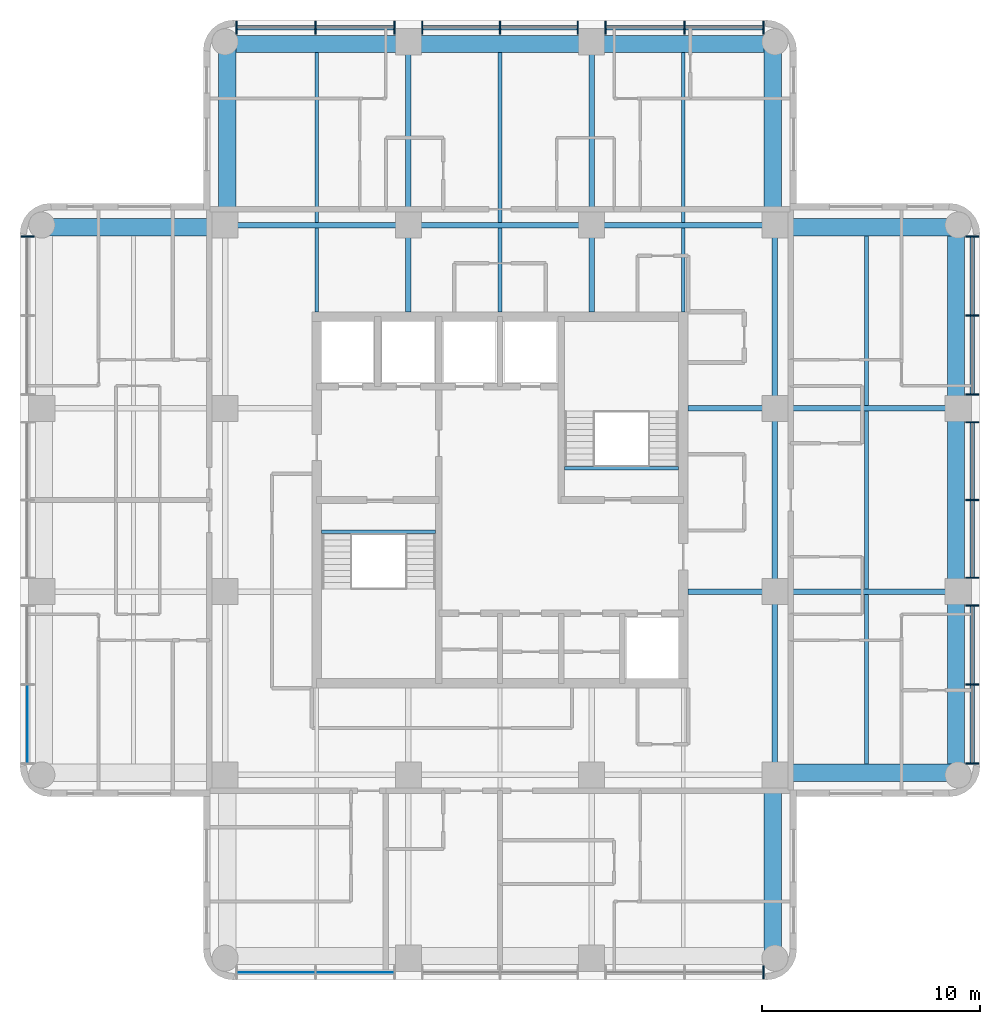
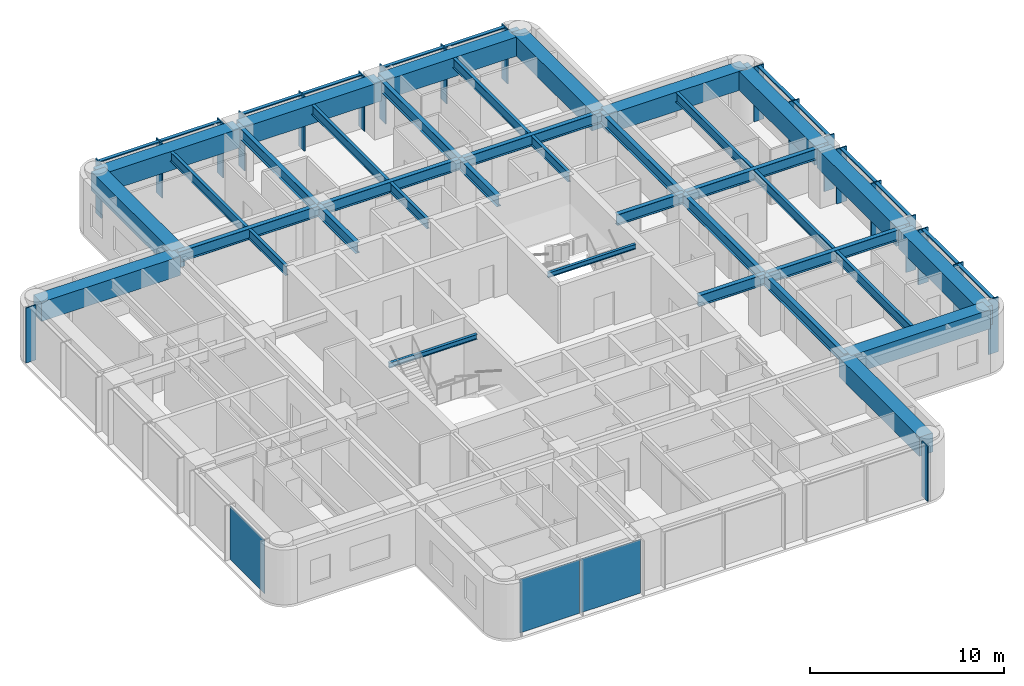
# One storey, part 2 of 10: 37 beams, 32 members, 3 plates, 4 elements without a shape of their own.
"""IFC4 building model written with IfcOpenShell, lengths in metres."""

from ifc_helpers import new_model, si_unit, direction, frame, origin, origin_2d, place, context, subcontext, project, spatial, rectangle, i_section, extrude, material, layer, layer_set, material_profile, profile_set, type_object, element, aggregate, save


model = new_model("IFC4")

# Units and contexts
model_context = context("Model", 3, precision=1e-05, world=origin(), true_north=direction((0.0, 1.0)))
body_context = subcontext(model_context, "Body", "Model", "MODEL_VIEW")
ifc_project = project(units=[si_unit("LENGTHUNIT", "METRE"), si_unit("AREAUNIT", "SQUARE_METRE"), si_unit("VOLUMEUNIT", "CUBIC_METRE"), si_unit("PLANEANGLEUNIT", "RADIAN"), si_unit("MASSUNIT", "GRAM", prefix="KILO")], contexts=[model_context])

# Site, building, storey
site_placement = place(None, origin())
site = spatial("IfcSite", under=ifc_project, at=site_placement, CompositionType="ELEMENT")
building_placement = place(site_placement, origin())
building = spatial("IfcBuilding", under=site, at=building_placement, Name="Torre Alcanfor", CompositionType="ELEMENT")
storey_placement = place(building_placement, frame((0.0, 0.0, 264.89990234375)))
storey = spatial("IfcBuildingStorey", under=building, at=storey_placement, Name="L69", CompositionType="ELEMENT", Elevation=264.89990234375)

# Curtain wall, member
ifc_material_1 = material(Name="Aluminium and glass", Category="aluminium")
curtain_wall_type = type_object("IfcCurtainWallType", Name="CW-A unitised apartment glazing with vertical FIN", PredefinedType="NOTDEFINED", material=ifc_material_1)
curtain_wall_1_placement = place(storey_placement, origin())
curtain_wall_1 = element("IfcCurtainWall", 1, at=curtain_wall_1_placement, inside=storey, type_object=curtain_wall_type, Name="Curtain wall CW-A L69 2", PredefinedType="NOTDEFINED")
ifc_material_2 = material(Name="Bronze anodised aluminium", Category="aluminium")
ifc_material_profile_1 = material_profile(ifc_material_2, rectangle(XDim=0.60009765625, YDim=0.06494140625, at=origin_2d()), Name="CW-A mullion 65x600")
ifc_profile_set_1 = profile_set([ifc_material_profile_1], Name="Bronze anodised aluminium")
member_type_1 = type_object("IfcMemberType", Name="CW-A mullion with vertical FIN 65x600", PredefinedType="MULLION", material=ifc_profile_set_1)
member_1_placement = place(storey_placement, frame((7.75, 41.47412109375, 0.0), z_axis=(0.0, 0.0, 1.0), x_axis=(1.0, 0.0, 0.0)))
member_1 = element("IfcMember", 2, at=member_1_placement, type_object=member_type_1, Name="CW-A mullion 1.1", PredefinedType="MULLION", context=body_context, shape_type="SweptSolid", body=[
    extrude(rectangle(XDim=0.60009765625, YDim=0.06494140625, at=origin_2d()), origin(), (0.0, 0.0, 1.0), 3.4501953125),
])

curtain_wall_2_placement = place(storey_placement, origin())
curtain_wall_2 = element("IfcCurtainWall", 3, at=curtain_wall_2_placement, inside=storey, type_object=curtain_wall_type, Name="Curtain wall CW-A L69 5", PredefinedType="NOTDEFINED")
member_2_placement = place(storey_placement, frame((41.47412109375, 7.75, 0.0), z_axis=(0.0, 0.0, 1.0), x_axis=(0.0, 1.0, 0.0)))
member_2 = element("IfcMember", 4, at=member_2_placement, type_object=member_type_1, Name="CW-A mullion 3.3", PredefinedType="MULLION", context=body_context, shape_type="SweptSolid", body=[
    extrude(rectangle(XDim=0.60009765625, YDim=0.06494140625, at=origin_2d()), origin(), (0.0, 0.0, 1.0), 3.4501953125),
])

# Curtain wall, members
curtain_wall_3_placement = place(storey_placement, origin())
curtain_wall_3 = element("IfcCurtainWall", 5, at=curtain_wall_3_placement, inside=storey, type_object=curtain_wall_type, Name="Curtain wall CW-A L69 8", PredefinedType="NOTDEFINED")
member_3_placement = place(storey_placement, frame((51.050048828125, 17.325927734375, 0.0), z_axis=(0.0, 0.0, 1.0), x_axis=(-1.0, 0.0, 0.0)))
member_3 = element("IfcMember", 6, at=member_3_placement, type_object=member_type_1, Name="CW-A mullion 1.1", PredefinedType="MULLION", context=body_context, shape_type="SweptSolid", body=[
    extrude(rectangle(XDim=0.60009765625, YDim=0.06494140625, at=origin_2d()), origin(), (0.0, 0.0, 1.0), 3.4501953125),
])
member_4_placement = place(storey_placement, frame((51.050048828125, 20.9443359375, 0.0), z_axis=(0.0, 0.0, 1.0), x_axis=(-1.0, 0.0, 0.0)))
member_4 = element("IfcMember", 7, at=member_4_placement, type_object=member_type_1, Name="CW-A mullion 1.2", PredefinedType="MULLION", context=body_context, shape_type="SweptSolid", body=[
    extrude(rectangle(XDim=0.60009765625, YDim=0.06494140625, at=origin_2d()), origin(), (0.0, 0.0, 1.0), 3.4501953125),
])
member_5_placement = place(storey_placement, frame((51.050048828125, 24.5625, 0.0), z_axis=(0.0, 0.0, 1.0), x_axis=(-1.0, 0.0, 0.0)))
member_5 = element("IfcMember", 8, at=member_5_placement, type_object=member_type_1, Name="CW-A mullion 1.3", PredefinedType="MULLION", context=body_context, shape_type="SweptSolid", body=[
    extrude(rectangle(XDim=0.60009765625, YDim=0.06494140625, at=origin_2d()), origin(), (0.0, 0.0, 1.0), 3.4501953125),
])
member_6_placement = place(storey_placement, frame((51.050048828125, 25.83740234375, 0.0), z_axis=(0.0, 0.0, 1.0), x_axis=(-1.0, 0.0, 0.0)))
member_6 = element("IfcMember", 9, at=member_6_placement, type_object=member_type_1, Name="CW-A mullion 2.1", PredefinedType="MULLION", context=body_context, shape_type="SweptSolid", body=[
    extrude(rectangle(XDim=0.60009765625, YDim=0.06494140625, at=origin_2d()), origin(), (0.0, 0.0, 1.0), 3.4501953125),
])
member_7_placement = place(storey_placement, frame((51.050048828125, 29.39990234375, 0.0), z_axis=(0.0, 0.0, 1.0), x_axis=(-1.0, 0.0, 0.0)))
member_7 = element("IfcMember", 10, at=member_7_placement, type_object=member_type_1, Name="CW-A mullion 2.2", PredefinedType="MULLION", context=body_context, shape_type="SweptSolid", body=[
    extrude(rectangle(XDim=0.60009765625, YDim=0.06494140625, at=origin_2d()), origin(), (0.0, 0.0, 1.0), 3.4501953125),
])
member_8_placement = place(storey_placement, frame((51.050048828125, 32.96240234375, 0.0), z_axis=(0.0, 0.0, 1.0), x_axis=(-1.0, 0.0, 0.0)))
member_8 = element("IfcMember", 11, at=member_8_placement, type_object=member_type_1, Name="CW-A mullion 2.3", PredefinedType="MULLION", context=body_context, shape_type="SweptSolid", body=[
    extrude(rectangle(XDim=0.60009765625, YDim=0.06494140625, at=origin_2d()), origin(), (0.0, 0.0, 1.0), 3.4501953125),
])
member_9_placement = place(storey_placement, frame((51.050048828125, 34.237548828125, 0.0), z_axis=(0.0, 0.0, 1.0), x_axis=(-1.0, 0.0, 0.0)))
member_9 = element("IfcMember", 12, at=member_9_placement, type_object=member_type_1, Name="CW-A mullion 3.1", PredefinedType="MULLION", context=body_context, shape_type="SweptSolid", body=[
    extrude(rectangle(XDim=0.60009765625, YDim=0.06494140625, at=origin_2d()), origin(), (0.0, 0.0, 1.0), 3.4501953125),
])
member_10_placement = place(storey_placement, frame((51.050048828125, 37.855712890625, 0.0), z_axis=(0.0, 0.0, 1.0), x_axis=(-1.0, 0.0, 0.0)))
member_10 = element("IfcMember", 13, at=member_10_placement, type_object=member_type_1, Name="CW-A mullion 3.2", PredefinedType="MULLION", context=body_context, shape_type="SweptSolid", body=[
    extrude(rectangle(XDim=0.60009765625, YDim=0.06494140625, at=origin_2d()), origin(), (0.0, 0.0, 1.0), 3.4501953125),
])
member_11_placement = place(storey_placement, frame((51.050048828125, 41.47412109375, 0.0), z_axis=(0.0, 0.0, 1.0), x_axis=(-1.0, 0.0, 0.0)))
member_11 = element("IfcMember", 14, at=member_11_placement, type_object=member_type_1, Name="CW-A mullion 3.3", PredefinedType="MULLION", context=body_context, shape_type="SweptSolid", body=[
    extrude(rectangle(XDim=0.60009765625, YDim=0.06494140625, at=origin_2d()), origin(), (0.0, 0.0, 1.0), 3.4501953125),
])

curtain_wall_4_placement = place(storey_placement, origin())
curtain_wall_4 = element("IfcCurtainWall", 15, at=curtain_wall_4_placement, inside=storey, type_object=curtain_wall_type, Name="Curtain wall CW-A L69 11", PredefinedType="NOTDEFINED")
member_12_placement = place(storey_placement, frame((41.47412109375, 51.050048828125, 0.0), z_axis=(0.0, 0.0, 1.0), x_axis=(0.0, -1.0, 0.0)))
member_12 = element("IfcMember", 16, at=member_12_placement, type_object=member_type_1, Name="CW-A mullion 1.1", PredefinedType="MULLION", context=body_context, shape_type="SweptSolid", body=[
    extrude(rectangle(XDim=0.60009765625, YDim=0.06494140625, at=origin_2d()), origin(), (0.0, 0.0, 1.0), 3.4501953125),
])
member_13_placement = place(storey_placement, frame((37.855712890625, 51.050048828125, 0.0), z_axis=(0.0, 0.0, 1.0), x_axis=(0.0, -1.0, 0.0)))
member_13 = element("IfcMember", 17, at=member_13_placement, type_object=member_type_1, Name="CW-A mullion 1.2", PredefinedType="MULLION", context=body_context, shape_type="SweptSolid", body=[
    extrude(rectangle(XDim=0.60009765625, YDim=0.06494140625, at=origin_2d()), origin(), (0.0, 0.0, 1.0), 3.4501953125),
])
member_14_placement = place(storey_placement, frame((34.237548828125, 51.050048828125, 0.0), z_axis=(0.0, 0.0, 1.0), x_axis=(0.0, -1.0, 0.0)))
member_14 = element("IfcMember", 18, at=member_14_placement, type_object=member_type_1, Name="CW-A mullion 1.3", PredefinedType="MULLION", context=body_context, shape_type="SweptSolid", body=[
    extrude(rectangle(XDim=0.60009765625, YDim=0.06494140625, at=origin_2d()), origin(), (0.0, 0.0, 1.0), 3.4501953125),
])
member_15_placement = place(storey_placement, frame((32.96240234375, 51.050048828125, 0.0), z_axis=(0.0, 0.0, 1.0), x_axis=(0.0, -1.0, 0.0)))
member_15 = element("IfcMember", 19, at=member_15_placement, type_object=member_type_1, Name="CW-A mullion 2.1", PredefinedType="MULLION", context=body_context, shape_type="SweptSolid", body=[
    extrude(rectangle(XDim=0.60009765625, YDim=0.06494140625, at=origin_2d()), origin(), (0.0, 0.0, 1.0), 3.4501953125),
])
member_16_placement = place(storey_placement, frame((29.39990234375, 51.050048828125, 0.0), z_axis=(0.0, 0.0, 1.0), x_axis=(0.0, -1.0, 0.0)))
member_16 = element("IfcMember", 20, at=member_16_placement, type_object=member_type_1, Name="CW-A mullion 2.2", PredefinedType="MULLION", context=body_context, shape_type="SweptSolid", body=[
    extrude(rectangle(XDim=0.60009765625, YDim=0.06494140625, at=origin_2d()), origin(), (0.0, 0.0, 1.0), 3.4501953125),
])
member_17_placement = place(storey_placement, frame((25.83740234375, 51.050048828125, 0.0), z_axis=(0.0, 0.0, 1.0), x_axis=(0.0, -1.0, 0.0)))
member_17 = element("IfcMember", 21, at=member_17_placement, type_object=member_type_1, Name="CW-A mullion 2.3", PredefinedType="MULLION", context=body_context, shape_type="SweptSolid", body=[
    extrude(rectangle(XDim=0.60009765625, YDim=0.06494140625, at=origin_2d()), origin(), (0.0, 0.0, 1.0), 3.4501953125),
])
member_18_placement = place(storey_placement, frame((24.5625, 51.050048828125, 0.0), z_axis=(0.0, 0.0, 1.0), x_axis=(0.0, -1.0, 0.0)))
member_18 = element("IfcMember", 22, at=member_18_placement, type_object=member_type_1, Name="CW-A mullion 3.1", PredefinedType="MULLION", context=body_context, shape_type="SweptSolid", body=[
    extrude(rectangle(XDim=0.60009765625, YDim=0.06494140625, at=origin_2d()), origin(), (0.0, 0.0, 1.0), 3.4501953125),
])
member_19_placement = place(storey_placement, frame((20.9443359375, 51.050048828125, 0.0), z_axis=(0.0, 0.0, 1.0), x_axis=(0.0, -1.0, 0.0)))
member_19 = element("IfcMember", 23, at=member_19_placement, type_object=member_type_1, Name="CW-A mullion 3.2", PredefinedType="MULLION", context=body_context, shape_type="SweptSolid", body=[
    extrude(rectangle(XDim=0.60009765625, YDim=0.06494140625, at=origin_2d()), origin(), (0.0, 0.0, 1.0), 3.4501953125),
])
member_20_placement = place(storey_placement, frame((17.325927734375, 51.050048828125, 0.0), z_axis=(0.0, 0.0, 1.0), x_axis=(0.0, -1.0, 0.0)))
member_20 = element("IfcMember", 24, at=member_20_placement, type_object=member_type_1, Name="CW-A mullion 3.3", PredefinedType="MULLION", context=body_context, shape_type="SweptSolid", body=[
    extrude(rectangle(XDim=0.60009765625, YDim=0.06494140625, at=origin_2d()), origin(), (0.0, 0.0, 1.0), 3.4501953125),
])

# Member
ifc_material_3 = material(Name="Extruded aluminium", Category="aluminium")
ifc_material_profile_2 = material_profile(ifc_material_3, rectangle(XDim=0.199951171875, YDim=0.06494140625, at=origin_2d()), Name="CW-A transom 200x65")
ifc_profile_set_2 = profile_set([ifc_material_profile_2], Name="Extruded aluminium")
member_type_2 = type_object("IfcMemberType", Name="CW-A transom 65x200", PredefinedType="USERDEFINED", material=ifc_profile_set_2)
member_21_placement = place(storey_placement, frame((51.050048828125, 17.3583984375, 3.41748046875), z_axis=(0.0, 1.0, 0.0), x_axis=(-1.0, 0.0, 0.0)))
member_21 = element("IfcMember", 25, at=member_21_placement, type_object=member_type_2, Name="CW-A transom 1.1.2", ObjectType="TRANSOM", PredefinedType="USERDEFINED", context=body_context, shape_type="SweptSolid", body=[
    extrude(rectangle(XDim=0.199951171875, YDim=0.06494140625, at=origin_2d()), origin(), (0.0, 0.0, 1.0), 3.553466796875),
])

member_22_placement = place(storey_placement, frame((51.050048828125, 20.976806640625, 3.41748046875), z_axis=(0.0, 1.0, 0.0), x_axis=(-1.0, 0.0, 0.0)))
member_22 = element("IfcMember", 26, at=member_22_placement, type_object=member_type_2, Name="CW-A transom 1.2.2", ObjectType="TRANSOM", PredefinedType="USERDEFINED", context=body_context, shape_type="SweptSolid", body=[
    extrude(rectangle(XDim=0.199951171875, YDim=0.06494140625, at=origin_2d()), origin(), (0.0, 0.0, 1.0), 3.55322265625),
])

member_23_placement = place(storey_placement, frame((51.050048828125, 25.8701171875, 3.41748046875), z_axis=(0.0, 1.0, 0.0), x_axis=(-1.0, 0.0, 0.0)))
member_23 = element("IfcMember", 27, at=member_23_placement, type_object=member_type_2, Name="CW-A transom 2.1.2", ObjectType="TRANSOM", PredefinedType="USERDEFINED", context=body_context, shape_type="SweptSolid", body=[
    extrude(rectangle(XDim=0.199951171875, YDim=0.06494140625, at=origin_2d()), origin(), (0.0, 0.0, 1.0), 3.497314453125),
])

member_24_placement = place(storey_placement, frame((51.050048828125, 29.4326171875, 3.41748046875), z_axis=(0.0, 1.0, 0.0), x_axis=(-1.0, 0.0, 0.0)))
member_24 = element("IfcMember", 28, at=member_24_placement, type_object=member_type_2, Name="CW-A transom 2.2.2", ObjectType="TRANSOM", PredefinedType="USERDEFINED", context=body_context, shape_type="SweptSolid", body=[
    extrude(rectangle(XDim=0.199951171875, YDim=0.06494140625, at=origin_2d()), origin(), (0.0, 0.0, 1.0), 3.497314453125),
])

member_25_placement = place(storey_placement, frame((51.050048828125, 34.27001953125, 3.41748046875), z_axis=(0.0, 1.0, 0.0), x_axis=(-1.0, 0.0, 0.0)))
member_25 = element("IfcMember", 29, at=member_25_placement, type_object=member_type_2, Name="CW-A transom 3.1.2", ObjectType="TRANSOM", PredefinedType="USERDEFINED", context=body_context, shape_type="SweptSolid", body=[
    extrude(rectangle(XDim=0.199951171875, YDim=0.06494140625, at=origin_2d()), origin(), (0.0, 0.0, 1.0), 3.55322265625),
])

member_26_placement = place(storey_placement, frame((51.050048828125, 37.88818359375, 3.41748046875), z_axis=(0.0, 1.0, 0.0), x_axis=(-1.0, 0.0, 0.0)))
member_26 = element("IfcMember", 30, at=member_26_placement, type_object=member_type_2, Name="CW-A transom 3.2.2", ObjectType="TRANSOM", PredefinedType="USERDEFINED", context=body_context, shape_type="SweptSolid", body=[
    extrude(rectangle(XDim=0.199951171875, YDim=0.06494140625, at=origin_2d()), origin(), (0.0, 0.0, 1.0), 3.55322265625),
])

aggregate(curtain_wall_3, [member_3, member_4, member_5, member_21, member_22, member_6, member_7, member_8, member_23, member_24, member_9, member_10, member_11, member_25, member_26])

member_27_placement = place(storey_placement, frame((41.44140625, 51.050048828125, 3.41748046875), z_axis=(-1.0, 0.0, 0.0), x_axis=(0.0, -1.0, 0.0)))
member_27 = element("IfcMember", 31, at=member_27_placement, type_object=member_type_2, Name="CW-A transom 1.1.2", ObjectType="TRANSOM", PredefinedType="USERDEFINED", context=body_context, shape_type="SweptSolid", body=[
    extrude(rectangle(XDim=0.199951171875, YDim=0.06494140625, at=origin_2d()), origin(), (0.0, 0.0, 1.0), 3.55322265625),
])

member_28_placement = place(storey_placement, frame((37.8232421875, 51.050048828125, 3.41748046875), z_axis=(-1.0, 0.0, 0.0), x_axis=(0.0, -1.0, 0.0)))
member_28 = element("IfcMember", 32, at=member_28_placement, type_object=member_type_2, Name="CW-A transom 1.2.2", ObjectType="TRANSOM", PredefinedType="USERDEFINED", context=body_context, shape_type="SweptSolid", body=[
    extrude(rectangle(XDim=0.199951171875, YDim=0.06494140625, at=origin_2d()), origin(), (0.0, 0.0, 1.0), 3.55322265625),
])

member_29_placement = place(storey_placement, frame((32.929931640625, 51.050048828125, 3.41748046875), z_axis=(-1.0, 0.0, 0.0), x_axis=(0.0, -1.0, 0.0)))
member_29 = element("IfcMember", 33, at=member_29_placement, type_object=member_type_2, Name="CW-A transom 2.1.2", ObjectType="TRANSOM", PredefinedType="USERDEFINED", context=body_context, shape_type="SweptSolid", body=[
    extrude(rectangle(XDim=0.199951171875, YDim=0.06494140625, at=origin_2d()), origin(), (0.0, 0.0, 1.0), 3.497314453125),
])

member_30_placement = place(storey_placement, frame((29.367431640625, 51.050048828125, 3.41748046875), z_axis=(-1.0, 0.0, 0.0), x_axis=(0.0, -1.0, 0.0)))
member_30 = element("IfcMember", 34, at=member_30_placement, type_object=member_type_2, Name="CW-A transom 2.2.2", ObjectType="TRANSOM", PredefinedType="USERDEFINED", context=body_context, shape_type="SweptSolid", body=[
    extrude(rectangle(XDim=0.199951171875, YDim=0.06494140625, at=origin_2d()), origin(), (0.0, 0.0, 1.0), 3.497314453125),
])

member_31_placement = place(storey_placement, frame((24.530029296875, 51.050048828125, 3.41748046875), z_axis=(-1.0, 0.0, 0.0), x_axis=(0.0, -1.0, 0.0)))
member_31 = element("IfcMember", 35, at=member_31_placement, type_object=member_type_2, Name="CW-A transom 3.1.2", ObjectType="TRANSOM", PredefinedType="USERDEFINED", context=body_context, shape_type="SweptSolid", body=[
    extrude(rectangle(XDim=0.199951171875, YDim=0.06494140625, at=origin_2d()), origin(), (0.0, 0.0, 1.0), 3.55322265625),
])

member_32_placement = place(storey_placement, frame((20.911865234375, 51.050048828125, 3.41748046875), z_axis=(-1.0, 0.0, 0.0), x_axis=(0.0, -1.0, 0.0)))
member_32 = element("IfcMember", 36, at=member_32_placement, type_object=member_type_2, Name="CW-A transom 3.2.2", ObjectType="TRANSOM", PredefinedType="USERDEFINED", context=body_context, shape_type="SweptSolid", body=[
    extrude(rectangle(XDim=0.199951171875, YDim=0.06494140625, at=origin_2d()), origin(), (0.0, 0.0, 1.0), 3.553466796875),
])

aggregate(curtain_wall_4, [member_12, member_13, member_14, member_27, member_28, member_15, member_16, member_17, member_29, member_30, member_18, member_19, member_20, member_31, member_32])

# Beams
ifc_material_4 = material(Name="Steel ASTM A992 Grade 50", Category="steel")
ifc_material_profile_3 = material_profile(ifc_material_4, i_section(OverallWidth=0.25390625, OverallDepth=0.683349609375, WebThickness=0.012451171875, FlangeThickness=0.01904296875, at=origin_2d()), Name="W27x94")
ifc_profile_set_3 = profile_set([ifc_material_profile_3], Name="Steel ASTM A992 Grade 50")
beam_type_1 = type_object("IfcBeamType", Name="Girder W27x94", PredefinedType="BEAM", material=ifc_profile_set_3)
for number, where, z_axis, x_axis, name in (
    (37, (42.0, 25.199951171875, 3.1083984375), (1.0, 0.0, 0.0), (0.0, 1.0, 0.0), "Beam 6F-7F under L70"),
    (38, (42.0, 33.60009765625, 3.1083984375), (1.0, 0.0, 0.0), (0.0, 1.0, 0.0), "Beam 6G-7G under L70"),
    (39, (16.800048828125, 42.0, 3.1083984375), (1.0, 0.0, 0.0), (0.0, 1.0, 0.0), "Beam 3H-4H under L70"),
):
    element("IfcBeam", number, at=place(storey_placement, frame(where, z_axis=z_axis, x_axis=x_axis)), inside=storey, type_object=beam_type_1, Name=name, PredefinedType="BEAM", context=body_context, shape_type="SweptSolid", body=[
        extrude(i_section(OverallWidth=0.25390625, OverallDepth=0.683349609375, WebThickness=0.012451171875, FlangeThickness=0.01904296875, at=origin_2d()), origin(), (0.0, 0.0, 1.0), 8.39990234375),
    ])
beam_1_placement = place(storey_placement, frame((25.199951171875, 42.0, 3.1083984375), z_axis=(1.0, 0.0, 0.0), x_axis=(0.0, 1.0, 0.0)))
element("IfcBeam", 40, at=beam_1_placement, inside=storey, type_object=beam_type_1, Name="Beam 4H-5H under L70", PredefinedType="BEAM", context=body_context, shape_type="SweptSolid", body=[
    extrude(i_section(OverallWidth=0.25390625, OverallDepth=0.683349609375, WebThickness=0.012451171875, FlangeThickness=0.01904296875, at=origin_2d()), origin(), (0.0, 0.0, 1.0), 8.400146484375),
])
for number, where, z_axis, x_axis, name in (
    (41, (33.60009765625, 42.0, 3.1083984375), (1.0, 0.0, 0.0), (0.0, 1.0, 0.0), "Beam 5H-6H under L70"),
    (42, (25.199951171875, 42.0, 3.1083984375), (0.0, 1.0, 0.0), (-1.0, 0.0, 0.0), "Beam 4H-4J under L70"),
    (43, (33.60009765625, 42.0, 3.1083984375), (0.0, 1.0, 0.0), (-1.0, 0.0, 0.0), "Beam 5H-5J under L70"),
    (44, (42.0, 16.800048828125, 3.1083984375), (0.0, 1.0, 0.0), (-1.0, 0.0, 0.0), "Beam 6E-6F under L70"),
):
    element("IfcBeam", number, at=place(storey_placement, frame(where, z_axis=z_axis, x_axis=x_axis)), inside=storey, type_object=beam_type_1, Name=name, PredefinedType="BEAM", context=body_context, shape_type="SweptSolid", body=[
        extrude(i_section(OverallWidth=0.25390625, OverallDepth=0.683349609375, WebThickness=0.012451171875, FlangeThickness=0.01904296875, at=origin_2d()), origin(), (0.0, 0.0, 1.0), 8.39990234375),
    ])
beam_2_placement = place(storey_placement, frame((42.0, 25.199951171875, 3.1083984375), z_axis=(0.0, 1.0, 0.0), x_axis=(-1.0, 0.0, 0.0)))
element("IfcBeam", 45, at=beam_2_placement, inside=storey, type_object=beam_type_1, Name="Beam 6F-6G under L70", PredefinedType="BEAM", context=body_context, shape_type="SweptSolid", body=[
    extrude(i_section(OverallWidth=0.25390625, OverallDepth=0.683349609375, WebThickness=0.012451171875, FlangeThickness=0.01904296875, at=origin_2d()), origin(), (0.0, 0.0, 1.0), 8.400146484375),
])
beam_3_placement = place(storey_placement, frame((42.0, 33.60009765625, 3.1083984375), z_axis=(0.0, 1.0, 0.0), x_axis=(-1.0, 0.0, 0.0)))
element("IfcBeam", 46, at=beam_3_placement, inside=storey, type_object=beam_type_1, Name="Beam 6G-6H under L70", PredefinedType="BEAM", context=body_context, shape_type="SweptSolid", body=[
    extrude(i_section(OverallWidth=0.25390625, OverallDepth=0.683349609375, WebThickness=0.012451171875, FlangeThickness=0.01904296875, at=origin_2d()), origin(), (0.0, 0.0, 1.0), 8.39990234375),
])
ifc_material_5 = material(Name="Steel ASTM A992 Grade 50", Category="steel")
ifc_material_profile_4 = material_profile(ifc_material_5, i_section(OverallWidth=0.25390625, OverallDepth=0.683349609375, WebThickness=0.012451171875, FlangeThickness=0.01904296875, at=origin_2d()), Name="W27x94")
ifc_profile_set_4 = profile_set([ifc_material_profile_4], Name="Steel ASTM A992 Grade 50")
beam_type_2 = type_object("IfcBeamType", Name="Girder, part bay W27x94", PredefinedType="BEAM", material=ifc_profile_set_4)
for number, where, z_axis, x_axis, name in (
    (47, (25.199951171875, 42.0, 3.1083984375), (0.0, -1.0, 0.0), (1.0, 0.0, 0.0), "Beam 4H-438_025 under L70"),
    (48, (33.60009765625, 42.0, 3.1083984375), (0.0, -1.0, 0.0), (1.0, 0.0, 0.0), "Beam 5H-538_025 under L70"),
    (49, (42.0, 25.199951171875, 3.1083984375), (-1.0, 0.0, 0.0), (0.0, -1.0, 0.0), "Beam 6F-38_025F under L70"),
    (50, (42.0, 33.60009765625, 3.1083984375), (-1.0, 0.0, 0.0), (0.0, -1.0, 0.0), "Beam 6G-38_025G under L70"),
):
    element("IfcBeam", number, at=place(storey_placement, frame(where, z_axis=z_axis, x_axis=x_axis)), inside=storey, type_object=beam_type_2, Name=name, PredefinedType="BEAM", context=body_context, shape_type="SweptSolid", body=[
        extrude(i_section(OverallWidth=0.25390625, OverallDepth=0.683349609375, WebThickness=0.012451171875, FlangeThickness=0.01904296875, at=origin_2d()), origin(), (0.0, 0.0, 1.0), 3.97509765625),
    ])
ifc_material_6 = material(Name="Concrete f'c 70 MPa", Category="concrete")
ifc_material_profile_5 = material_profile(ifc_material_6, rectangle(XDim=0.800048828125, YDim=1.199951171875, at=origin_2d()), Name="800x1200")
ifc_profile_set_5 = profile_set([ifc_material_profile_5], Name="Concrete f'c 70 MPa")
beam_type_3 = type_object("IfcBeamType", Name="RC perimeter beam 800x1200", PredefinedType="BEAM", material=ifc_profile_set_5)
beam_4_placement = place(storey_placement, frame((42.126953125, 16.89990234375, 2.85009765625), z_axis=(1.0, 0.0, 0.0), x_axis=(0.0, 1.0, 0.0)))
element("IfcBeam", 51, at=beam_4_placement, inside=storey, type_object=beam_type_3, Name="Beam 6E-7E under L70", PredefinedType="BEAM", context=body_context, shape_type="SweptSolid", body=[
    extrude(rectangle(XDim=0.800048828125, YDim=1.199951171875, at=origin_2d()), origin(), (0.0, 0.0, 1.0), 8.27294921875),
])
beam_5_placement = place(storey_placement, frame((8.39990234375, 41.89990234375, 2.85009765625), z_axis=(1.0, 0.0, 0.0), x_axis=(0.0, 1.0, 0.0)))
element("IfcBeam", 52, at=beam_5_placement, inside=storey, type_object=beam_type_3, Name="Beam 2H-3H under L70", PredefinedType="BEAM", context=body_context, shape_type="SweptSolid", body=[
    extrude(rectangle(XDim=0.800048828125, YDim=1.199951171875, at=origin_2d()), origin(), (0.0, 0.0, 1.0), 8.273193359375),
])
for number, where, z_axis, x_axis, name in (
    (53, (42.126953125, 41.89990234375, 2.85009765625), (1.0, 0.0, 0.0), (0.0, 1.0, 0.0), "Beam 6H-7H under L70"),
    (54, (16.800048828125, 50.300048828125, 2.85009765625), (1.0, 0.0, 0.0), (0.0, 1.0, 0.0), "Beam 3J-4J under L70"),
):
    element("IfcBeam", number, at=place(storey_placement, frame(where, z_axis=z_axis, x_axis=x_axis)), inside=storey, type_object=beam_type_3, Name=name, PredefinedType="BEAM", context=body_context, shape_type="SweptSolid", body=[
        extrude(rectangle(XDim=0.800048828125, YDim=1.199951171875, at=origin_2d()), origin(), (0.0, 0.0, 1.0), 8.27294921875),
    ])
beam_6_placement = place(storey_placement, frame((25.326904296875, 50.300048828125, 2.85009765625), z_axis=(1.0, 0.0, 0.0), x_axis=(0.0, 1.0, 0.0)))
element("IfcBeam", 55, at=beam_6_placement, inside=storey, type_object=beam_type_3, Name="Beam 4J-5J under L70", PredefinedType="BEAM", context=body_context, shape_type="SweptSolid", body=[
    extrude(rectangle(XDim=0.800048828125, YDim=1.199951171875, at=origin_2d()), origin(), (0.0, 0.0, 1.0), 8.14599609375),
])
for number, where, z_axis, x_axis, name in (
    (56, (33.72705078125, 50.300048828125, 2.85009765625), (1.0, 0.0, 0.0), (0.0, 1.0, 0.0), "Beam 5J-6J under L70"),
    (57, (16.89990234375, 42.126953125, 2.85009765625), (0.0, 1.0, 0.0), (-1.0, 0.0, 0.0), "Beam 3H-3J under L70"),
):
    element("IfcBeam", number, at=place(storey_placement, frame(where, z_axis=z_axis, x_axis=x_axis)), inside=storey, type_object=beam_type_3, Name=name, PredefinedType="BEAM", context=body_context, shape_type="SweptSolid", body=[
        extrude(rectangle(XDim=0.800048828125, YDim=1.199951171875, at=origin_2d()), origin(), (0.0, 0.0, 1.0), 8.27294921875),
    ])
beam_7_placement = place(storey_placement, frame((41.89990234375, 8.39990234375, 2.85009765625), z_axis=(0.0, 1.0, 0.0), x_axis=(-1.0, 0.0, 0.0)))
element("IfcBeam", 58, at=beam_7_placement, inside=storey, type_object=beam_type_3, Name="Beam 6D-6E under L70", PredefinedType="BEAM", context=body_context, shape_type="SweptSolid", body=[
    extrude(rectangle(XDim=0.800048828125, YDim=1.199951171875, at=origin_2d()), origin(), (0.0, 0.0, 1.0), 8.273193359375),
])
for number, where, z_axis, x_axis, name in (
    (59, (41.89990234375, 42.126953125, 2.85009765625), (0.0, 1.0, 0.0), (-1.0, 0.0, 0.0), "Beam 6H-6J under L70"),
    (60, (50.300048828125, 16.800048828125, 2.85009765625), (0.0, 1.0, 0.0), (-1.0, 0.0, 0.0), "Beam 7E-7F under L70"),
):
    element("IfcBeam", number, at=place(storey_placement, frame(where, z_axis=z_axis, x_axis=x_axis)), inside=storey, type_object=beam_type_3, Name=name, PredefinedType="BEAM", context=body_context, shape_type="SweptSolid", body=[
        extrude(rectangle(XDim=0.800048828125, YDim=1.199951171875, at=origin_2d()), origin(), (0.0, 0.0, 1.0), 8.27294921875),
    ])
beam_8_placement = place(storey_placement, frame((50.300048828125, 25.326904296875, 2.85009765625), z_axis=(0.0, 1.0, 0.0), x_axis=(-1.0, 0.0, 0.0)))
element("IfcBeam", 61, at=beam_8_placement, inside=storey, type_object=beam_type_3, Name="Beam 7F-7G under L70", PredefinedType="BEAM", context=body_context, shape_type="SweptSolid", body=[
    extrude(rectangle(XDim=0.800048828125, YDim=1.199951171875, at=origin_2d()), origin(), (0.0, 0.0, 1.0), 8.14599609375),
])
beam_9_placement = place(storey_placement, frame((50.300048828125, 33.72705078125, 2.85009765625), z_axis=(0.0, 1.0, 0.0), x_axis=(-1.0, 0.0, 0.0)))
element("IfcBeam", 62, at=beam_9_placement, inside=storey, type_object=beam_type_3, Name="Beam 7G-7H under L70", PredefinedType="BEAM", context=body_context, shape_type="SweptSolid", body=[
    extrude(rectangle(XDim=0.800048828125, YDim=1.199951171875, at=origin_2d()), origin(), (0.0, 0.0, 1.0), 8.27294921875),
])
ifc_material_7 = material(Name="Steel ASTM A992 Grade 50", Category="steel")
ifc_material_profile_6 = material_profile(ifc_material_7, i_section(OverallWidth=0.1787109375, OverallDepth=0.60205078125, WebThickness=0.010986328125, FlangeThickness=0.014892578125, at=origin_2d()), Name="W24x62")
ifc_profile_set_6 = profile_set([ifc_material_profile_6], Name="Steel ASTM A992 Grade 50")
beam_type_4 = type_object("IfcBeamType", Name="Secondary beam W24x62", PredefinedType="BEAM", material=ifc_profile_set_6)
for number, where, z_axis, x_axis, name in (
    (63, (21.0, 42.126953125, 3.149169921875), (0.0, 1.0, 0.0), (-1.0, 0.0, 0.0), "Beam 21H-21J under L70"),
    (64, (29.39990234375, 42.126953125, 3.149169921875), (0.0, 1.0, 0.0), (-1.0, 0.0, 0.0), "Beam 29_4H-29_4J under L70"),
    (65, (37.800048828125, 42.126953125, 3.149169921875), (0.0, 1.0, 0.0), (-1.0, 0.0, 0.0), "Beam 37_8H-37_8J under L70"),
    (66, (46.199951171875, 17.300048828125, 3.149169921875), (0.0, 1.0, 0.0), (-1.0, 0.0, 0.0), "Beam 46_2E-46_2F under L70"),
):
    element("IfcBeam", number, at=place(storey_placement, frame(where, z_axis=z_axis, x_axis=x_axis)), inside=storey, type_object=beam_type_4, Name=name, PredefinedType="BEAM", context=body_context, shape_type="SweptSolid", body=[
        extrude(i_section(OverallWidth=0.1787109375, OverallDepth=0.60205078125, WebThickness=0.010986328125, FlangeThickness=0.014892578125, at=origin_2d()), origin(), (0.0, 0.0, 1.0), 7.77294921875),
    ])
beam_10_placement = place(storey_placement, frame((46.199951171875, 25.326904296875, 3.149169921875), z_axis=(0.0, 1.0, 0.0), x_axis=(-1.0, 0.0, 0.0)))
element("IfcBeam", 67, at=beam_10_placement, inside=storey, type_object=beam_type_4, Name="Beam 46_2F-46_2G under L70", PredefinedType="BEAM", context=body_context, shape_type="SweptSolid", body=[
    extrude(i_section(OverallWidth=0.1787109375, OverallDepth=0.60205078125, WebThickness=0.010986328125, FlangeThickness=0.014892578125, at=origin_2d()), origin(), (0.0, 0.0, 1.0), 8.14599609375),
])
beam_11_placement = place(storey_placement, frame((46.199951171875, 33.72705078125, 3.149169921875), z_axis=(0.0, 1.0, 0.0), x_axis=(-1.0, 0.0, 0.0)))
element("IfcBeam", 68, at=beam_11_placement, inside=storey, type_object=beam_type_4, Name="Beam 46_2G-46_2H under L70", PredefinedType="BEAM", context=body_context, shape_type="SweptSolid", body=[
    extrude(i_section(OverallWidth=0.1787109375, OverallDepth=0.60205078125, WebThickness=0.010986328125, FlangeThickness=0.014892578125, at=origin_2d()), origin(), (0.0, 0.0, 1.0), 7.77294921875),
])
ifc_material_8 = material(Name="Steel ASTM A992 Grade 50", Category="steel")
ifc_material_profile_7 = material_profile(ifc_material_8, i_section(OverallWidth=0.1787109375, OverallDepth=0.60205078125, WebThickness=0.010986328125, FlangeThickness=0.014892578125, at=origin_2d()), Name="W24x62")
ifc_profile_set_7 = profile_set([ifc_material_profile_7], Name="Steel ASTM A992 Grade 50")
beam_type_5 = type_object("IfcBeamType", Name="Secondary beam, part bay W24x62", PredefinedType="BEAM", material=ifc_profile_set_7)
for number, where, z_axis, x_axis, name in (
    (69, (21.0, 38.02490234375, 3.149169921875), (0.0, 1.0, 0.0), (-1.0, 0.0, 0.0), "Beam 2138_025-21H under L70"),
    (70, (29.39990234375, 38.02490234375, 3.149169921875), (0.0, 1.0, 0.0), (-1.0, 0.0, 0.0), "Beam 29_438_025-29_4H under L70"),
    (71, (37.800048828125, 38.02490234375, 3.149169921875), (0.0, 1.0, 0.0), (-1.0, 0.0, 0.0), "Beam 37_838_025-37_8H under L70"),
):
    element("IfcBeam", number, at=place(storey_placement, frame(where, z_axis=z_axis, x_axis=x_axis)), inside=storey, type_object=beam_type_5, Name=name, PredefinedType="BEAM", context=body_context, shape_type="SweptSolid", body=[
        extrude(i_section(OverallWidth=0.1787109375, OverallDepth=0.60205078125, WebThickness=0.010986328125, FlangeThickness=0.014892578125, at=origin_2d()), origin(), (0.0, 0.0, 1.0), 3.84814453125),
    ])
ifc_material_9 = material(Name="Steel ASTM A992 Grade 50", Category="steel")
ifc_material_profile_8 = material_profile(ifc_material_9, i_section(OverallWidth=0.164794921875, OverallDepth=0.309814453125, WebThickness=0.005859375, FlangeThickness=0.009765625, at=origin_2d()), Name="W12x26")
ifc_profile_set_8 = profile_set([ifc_material_profile_8], Name="Steel ASTM A992 Grade 50")
beam_type_6 = type_object("IfcBeamType", Name="Stair landing beam W12x26", PredefinedType="BEAM", material=ifc_profile_set_8)
for number, where, z_axis, x_axis, name in (
    (72, (21.22509765625, 27.9375, 3.2451171875), (1.0, 0.0, 0.0), (0.0, 1.0, 0.0), "Landing trimmer S1 L70"),
    (73, (32.35009765625, 30.862548828125, 3.2451171875), (1.0, 0.0, 0.0), (0.0, 1.0, 0.0), "Landing trimmer S2 L70"),
):
    element("IfcBeam", number, at=place(storey_placement, frame(where, z_axis=z_axis, x_axis=x_axis)), inside=storey, type_object=beam_type_6, Name=name, PredefinedType="BEAM", context=body_context, shape_type="SweptSolid", body=[
        extrude(i_section(OverallWidth=0.164794921875, OverallDepth=0.309814453125, WebThickness=0.005859375, FlangeThickness=0.009765625, at=origin_2d()), origin(), (0.0, 0.0, 1.0), 5.224853515625),
    ])

# Plate
ifc_material_10 = material(Name="Glass", Category="glass")
ifc_layer = layer(ifc_material_10, 0.028076171875)
ifc_layer_set = layer_set([ifc_layer], Name="CW-A clear double glazed unit")
plate_type = type_object("IfcPlateType", Name="CW-A clear double glazed unit", PredefinedType="CURTAIN_PANEL", material=ifc_layer_set)
plate_1_placement = place(storey_placement, frame((7.75, 19.135009765625, 0.0), z_axis=(0.0, 0.0, 1.0), x_axis=(0.0, -1.0, 0.0)))
plate_1 = element("IfcPlate", 74, at=plate_1_placement, type_object=plate_type, Name="CW-A panel 3.2.1", PredefinedType="CURTAIN_PANEL", context=body_context, shape_type="SweptSolid", body=[
    extrude(rectangle(XDim=3.55322265625, YDim=0.028076171875, at=origin_2d()), origin(), (0.0, 0.0, 1.0), 3.385009765625),
])

aggregate(curtain_wall_1, [member_1, plate_1])

plate_2_placement = place(storey_placement, frame((19.135009765625, 7.75, 0.0), z_axis=(0.0, 0.0, 1.0), x_axis=(1.0, 0.0, 0.0)))
plate_2 = element("IfcPlate", 75, at=plate_2_placement, type_object=plate_type, Name="CW-A panel 1.1.1", PredefinedType="CURTAIN_PANEL", context=body_context, shape_type="SweptSolid", body=[
    extrude(rectangle(XDim=3.55322265625, YDim=0.028076171875, at=origin_2d()), origin(), (0.0, 0.0, 1.0), 3.385009765625),
])

plate_3_placement = place(storey_placement, frame((22.75341796875, 7.75, 0.0), z_axis=(0.0, 0.0, 1.0), x_axis=(1.0, 0.0, 0.0)))
plate_3 = element("IfcPlate", 76, at=plate_3_placement, type_object=plate_type, Name="CW-A panel 1.2.1", PredefinedType="CURTAIN_PANEL", context=body_context, shape_type="SweptSolid", body=[
    extrude(rectangle(XDim=3.55322265625, YDim=0.028076171875, at=origin_2d()), origin(), (0.0, 0.0, 1.0), 3.385009765625),
])

aggregate(curtain_wall_2, [plate_2, plate_3, member_2])

save(model, "model.ifc")
